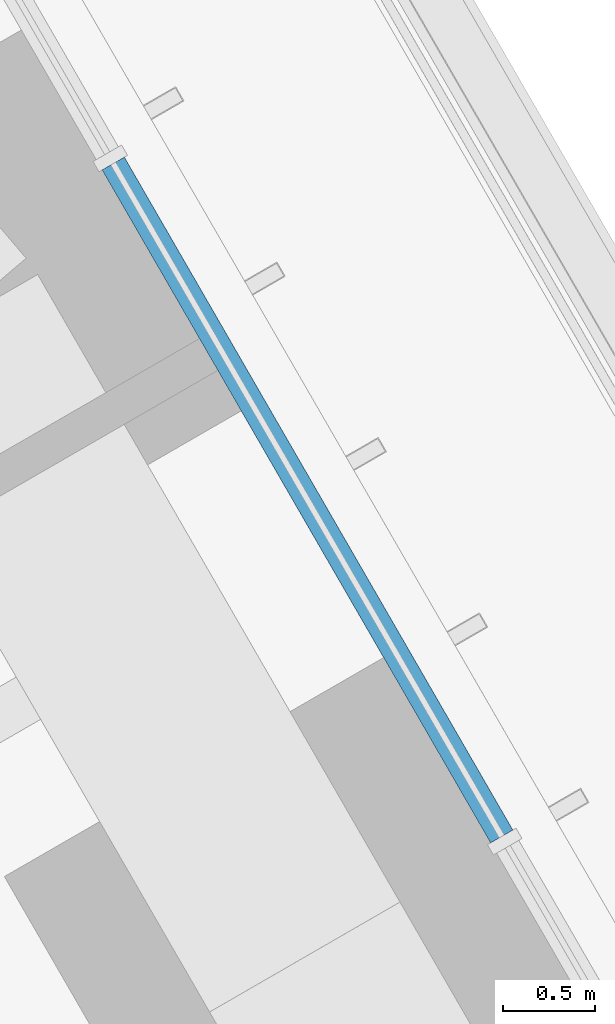
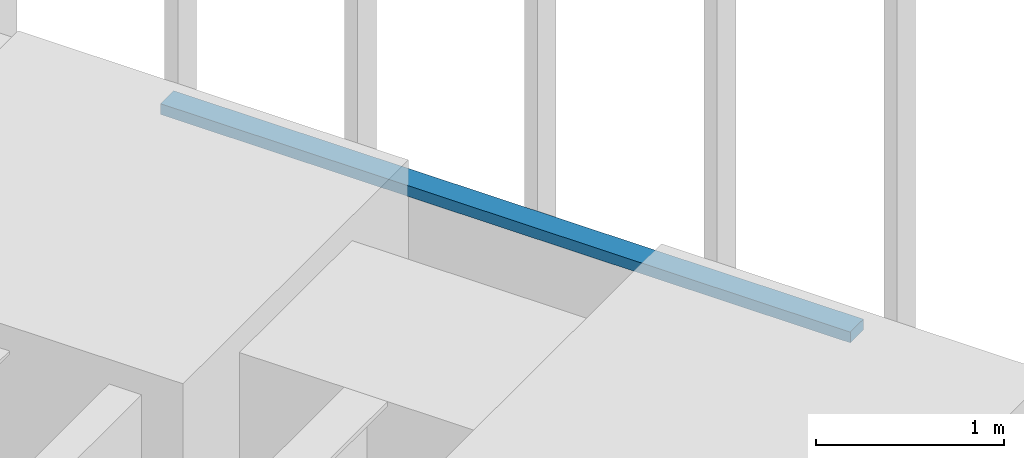
# One storey, part 188 of 238: 1 member, 1 element without a shape of its own.
"""IFC4 building model written with IfcOpenShell, lengths in metres."""

import ifcopenshell
import ifcopenshell.guid

model = None  # the IFC model being written
_history = None  # IfcOwnerHistory: only IFC2X3 demands one
_inside = {}  # id of a spatial element -> (the spatial element, [elements in it])
_under = {}  # id of a project, library or spatial element -> (it, [spatial elements below it])
_declared = {}  # id of a project -> (the project, [libraries it declares])
_typed = {}  # id of a type object -> (the type object, [elements of that type])
_made_of = {}  # id of a material, layer set ... -> (it, [elements and type objects made of it])


def new_model(schema):
    """Start an empty IFC model of exactly this schema.

    Asked for "IFC4X3", IfcOpenShell would pick the latest addendum, in which some entities
    have other attributes; the version numbers below select the first issue.
    IFC2X3 requires an IfcOwnerHistory on every rooted entity: one is made here for all.
    """
    global model, _history
    if schema == "IFC4X3":
        model = ifcopenshell.file(schema_version=(4, 3, 0, 0))
    else:
        model = ifcopenshell.file(schema=schema)
    _inside.clear()
    _under.clear()
    _declared.clear()
    _typed.clear()
    _made_of.clear()
    _history = None
    if model.schema == "IFC2X3":
        org = make("IfcOrganization", Name="unknown")
        user = make(
            "IfcPersonAndOrganization",
            ThePerson=make("IfcPerson", FamilyName="unknown"),
            TheOrganization=org,
        )
        app = make(
            "IfcApplication",
            ApplicationDeveloper=org,
            Version="unknown",
            ApplicationFullName="unknown",
            ApplicationIdentifier="unknown",
        )
        _history = make(
            "IfcOwnerHistory",
            OwningUser=user,
            OwningApplication=app,
            ChangeAction="ADDED",
            CreationDate=0,
        )
    return model


def make(cls, **values):
    """One entity of the class cls with the attributes given. An attribute that is None is left unset."""
    return model.create_entity(
        cls, **{name: value for name, value in values.items() if value is not None}
    )


def rooted(cls, **values):
    """An entity with a GlobalId (a new one), such as an element, a storey or a relation."""
    return make(cls, GlobalId=ifcopenshell.guid.new(), OwnerHistory=_history, **values)


def si_unit(unit_type, name, prefix=None):
    """IfcSIUnit, for example si_unit("LENGTHUNIT", "METRE", prefix="MILLI")."""
    return make("IfcSIUnit", UnitType=unit_type, Prefix=prefix, Name=name)


def assignment(units):
    """IfcUnitAssignment: the units of a project."""
    return None if units is None else make("IfcUnitAssignment", Units=units)


def point(xyz):
    """IfcCartesianPoint."""
    return None if xyz is None else make("IfcCartesianPoint", Coordinates=xyz)


def direction(xyz):
    """IfcDirection."""
    return None if xyz is None else make("IfcDirection", DirectionRatios=xyz)


def frame(location, z_axis=None, x_axis=None):
    """IfcAxis2Placement3D, a coordinate frame: its origin and axes. An axis left out is left unset."""
    return make(
        "IfcAxis2Placement3D",
        Location=point(location),
        Axis=direction(z_axis),
        RefDirection=direction(x_axis),
    )


def frame_2d(location, x_axis=None):
    """IfcAxis2Placement2D, a coordinate frame in the plane: its origin and x axis."""
    return make(
        "IfcAxis2Placement2D", Location=point(location), RefDirection=direction(x_axis)
    )


def origin():
    """The frame at (0, 0, 0) with its axes left unset."""
    return frame((0.0, 0.0, 0.0))


def origin_2d():
    """The frame at (0, 0) in the plane with its x axis left unset."""
    return frame_2d((0.0, 0.0))


def place(relative_to, where):
    """IfcLocalPlacement: puts the frame where relative to a parent placement (None: the world)."""
    return make(
        "IfcLocalPlacement", PlacementRelTo=relative_to, RelativePlacement=where
    )


def context(
    kind, dimensions, precision=None, world=None, true_north=None, identifier=None
):
    """IfcGeometricRepresentationContext, for example the 3D "Model" context."""
    return make(
        "IfcGeometricRepresentationContext",
        ContextIdentifier=identifier,
        ContextType=kind,
        CoordinateSpaceDimension=dimensions,
        Precision=precision,
        WorldCoordinateSystem=world,
        TrueNorth=true_north,
    )


def subcontext(parent, identifier, kind, view, scale=None):
    """IfcGeometricRepresentationSubContext, for example "Body" below "Model"."""
    return make(
        "IfcGeometricRepresentationSubContext",
        ContextIdentifier=identifier,
        ContextType=kind,
        ParentContext=parent,
        TargetScale=scale,
        TargetView=view,
    )


def project(units=None, contexts=None):
    """IfcProject with its units and contexts."""
    return rooted(
        "IfcProject",
        Name="project",
        RepresentationContexts=contexts,
        UnitsInContext=assignment(units),
    )


def spatial(cls, under=None, at=None, **own):
    """A site, building, storey or space (cls), placed at a placement, below another one or the project."""
    s = rooted(cls, ObjectPlacement=at, **own)
    if under is not None:
        _under.setdefault(under.id(), (under, []))[1].append(s)
    return s


def profile(cls, at=None, kind="AREA", **sizes):
    """A parametric profile (cls). Its sizes go by their IFC names, for example OverallWidth=200.0."""
    return make(cls, ProfileType=kind, Position=at, **sizes)


def rectangle(**sizes):
    """IfcRectangleProfileDef."""
    return profile("IfcRectangleProfileDef", **sizes)


def extrude(swept, where, along, depth):
    """IfcExtrudedAreaSolid: the profile swept, set in the frame where, extruded along a direction by depth."""
    return make(
        "IfcExtrudedAreaSolid",
        SweptArea=swept,
        Position=where,
        ExtrudedDirection=direction(along),
        Depth=depth,
    )


def shape(context_of_items, identifier, shape_type, items):
    """IfcShapeRepresentation: the items that make up one representation, for example the "Body"."""
    return make(
        "IfcShapeRepresentation",
        ContextOfItems=context_of_items,
        RepresentationIdentifier=identifier,
        RepresentationType=shape_type,
        Items=items,
    )


def material(Name=None, Category=None):
    """IfcMaterial."""
    return make("IfcMaterial", Name=Name, Category=Category)


def material_profile(
    of_material, cross_section, Name=None, Category=None, Priority=None
):
    """IfcMaterialProfile: a cross section and its material."""
    return make(
        "IfcMaterialProfile",
        Name=Name,
        Material=of_material,
        Profile=cross_section,
        Priority=Priority,
        Category=Category,
    )


def profile_set(profiles, Name=None, composite=None):
    """IfcMaterialProfileSet."""
    return make(
        "IfcMaterialProfileSet",
        Name=Name,
        MaterialProfiles=profiles,
        CompositeProfile=composite,
    )


def made_of(thing, what):
    """Note that an element or type object is made of a material, layer set ...; save() writes the relation."""
    if what is not None:
        _made_of.setdefault(what.id(), (what, []))[1].append(thing)
    return thing


def type_object(cls, material=None, **own):
    """A type object (cls), such as IfcWallType, which elements share."""
    return made_of(rooted(cls, **own), material)


def element(
    cls,
    number,
    at=None,
    inside=None,
    cuts=None,
    type_object=None,
    material=None,
    context=None,
    identifier="Body",
    shape_type=None,
    held_by="IfcProductDefinitionShape",
    body=None,
    shapes=None,
    **own,
):
    """One element of the class cls, such as IfcWall. Its Tag is "e" and its number.

    at: its placement. inside: the storey or other place that contains it. cuts: it is an
    opening in that element (IfcRelVoidsElement). A single representation is given by context,
    identifier, shape_type and body (its items); several are given by shapes. held_by: the class
    of the entity that holds the representations. save() writes the other relations.
    """
    e = rooted(cls, Tag="e%d" % number, ObjectPlacement=at, **own)
    if body is not None:
        shapes = [shape(context, identifier, shape_type, body)]
    if shapes is not None:
        e.Representation = make(held_by, Representations=shapes)
    if inside is not None:
        _inside.setdefault(inside.id(), (inside, []))[1].append(e)
    if cuts is not None:
        rooted(
            "IfcRelVoidsElement", RelatingBuildingElement=cuts, RelatedOpeningElement=e
        )
    if type_object is not None:
        _typed.setdefault(type_object.id(), (type_object, []))[1].append(e)
    return made_of(e, material)


def aggregate(whole, parts):
    """IfcRelAggregates: a whole, such as a stair, and the parts it consists of."""
    return rooted("IfcRelAggregates", RelatingObject=whole, RelatedObjects=parts)


def save(model, path):
    """Write the relations noted so far, then the file.

    IfcRelAggregates (storeys below a building ...), IfcRelContainedInSpatialStructure (elements
    in a storey), IfcRelDefinesByType, IfcRelAssociatesMaterial and IfcRelDeclares: one each for
    every whole, place, type object, material and project.
    """
    for whole, parts in _under.values():
        aggregate(whole, parts)
    for where, things in _inside.values():
        rooted(
            "IfcRelContainedInSpatialStructure",
            RelatedElements=things,
            RelatingStructure=where,
        )
    for kind, things in _typed.values():
        rooted("IfcRelDefinesByType", RelatedObjects=things, RelatingType=kind)
    for what, things in _made_of.values():
        rooted("IfcRelAssociatesMaterial", RelatedObjects=things, RelatingMaterial=what)
    for by, libraries in _declared.values():
        rooted("IfcRelDeclares", RelatingContext=by, RelatedDefinitions=libraries)
    model.write(path)


model = new_model("IFC4")

# Units and contexts
model_context = context("Model", 3, precision=1e-05, world=origin(), true_north=direction((0.0, 1.0)))
body_context = subcontext(model_context, "Body", "Model", "MODEL_VIEW")
ifc_project = project(units=[si_unit("LENGTHUNIT", "METRE"), si_unit("AREAUNIT", "SQUARE_METRE"), si_unit("VOLUMEUNIT", "CUBIC_METRE"), si_unit("PLANEANGLEUNIT", "RADIAN"), si_unit("MASSUNIT", "GRAM", prefix="KILO")], contexts=[model_context])

# Site, building, storey
site_placement = place(None, origin())
site = spatial("IfcSite", under=ifc_project, at=site_placement, CompositionType="ELEMENT")
building_placement = place(site_placement, origin())
building = spatial("IfcBuilding", under=site, at=building_placement, Name="Sandreach Pilgrim Tower", CompositionType="ELEMENT")
storey_placement = place(building_placement, frame((0.0, 0.0, 96.800048828125)))
storey = spatial("IfcBuildingStorey", under=building, at=storey_placement, Name="L23", CompositionType="ELEMENT", Elevation=96.800048828125)

# Curtain wall, member
ifc_material_1 = material(Name="Aluminium framed curtain wall", Category="aluminium")
curtain_wall_type = type_object("IfcCurtainWallType", Name="Hotel tower curtain wall", PredefinedType="NOTDEFINED", material=ifc_material_1)
curtain_wall_placement = place(storey_placement, origin())
curtain_wall = element("IfcCurtainWall", 1, at=curtain_wall_placement, inside=storey, type_object=curtain_wall_type, Name="CW-2 L23 NE", PredefinedType="NOTDEFINED")
ifc_material_2 = material(Name="Aluminium extrusion", Category="aluminium")
ifc_material_profile = material_profile(ifc_material_2, rectangle(XDim=0.139892578125, YDim=0.070068359375, at=origin_2d()), Name="CW-2T 140X70")
ifc_profile_set = profile_set([ifc_material_profile], Name="Aluminium extrusion")
member_type = type_object("IfcMemberType", Name="CW-2 transom", PredefinedType="USERDEFINED", material=ifc_profile_set)
member_placement = place(storey_placement, frame((22.278564453125, 17.796875, 3.60498046875), z_axis=(0.499996541496, -0.866027400544, 0.0), x_axis=(0.866027400544, 0.499996541496, 0.0)))
member = element("IfcMember", 2, at=member_placement, type_object=member_type, Name="CW-2 head transom 2", ObjectType="TRANSOM", PredefinedType="USERDEFINED", context=body_context, shape_type="SweptSolid", body=[
    extrude(rectangle(XDim=0.139892578125, YDim=0.070068359375, at=origin_2d()), origin(), (0.0, 0.0, 1.0), 4.24072265625),
])
aggregate(curtain_wall, [member])

save(model, "model.ifc")
